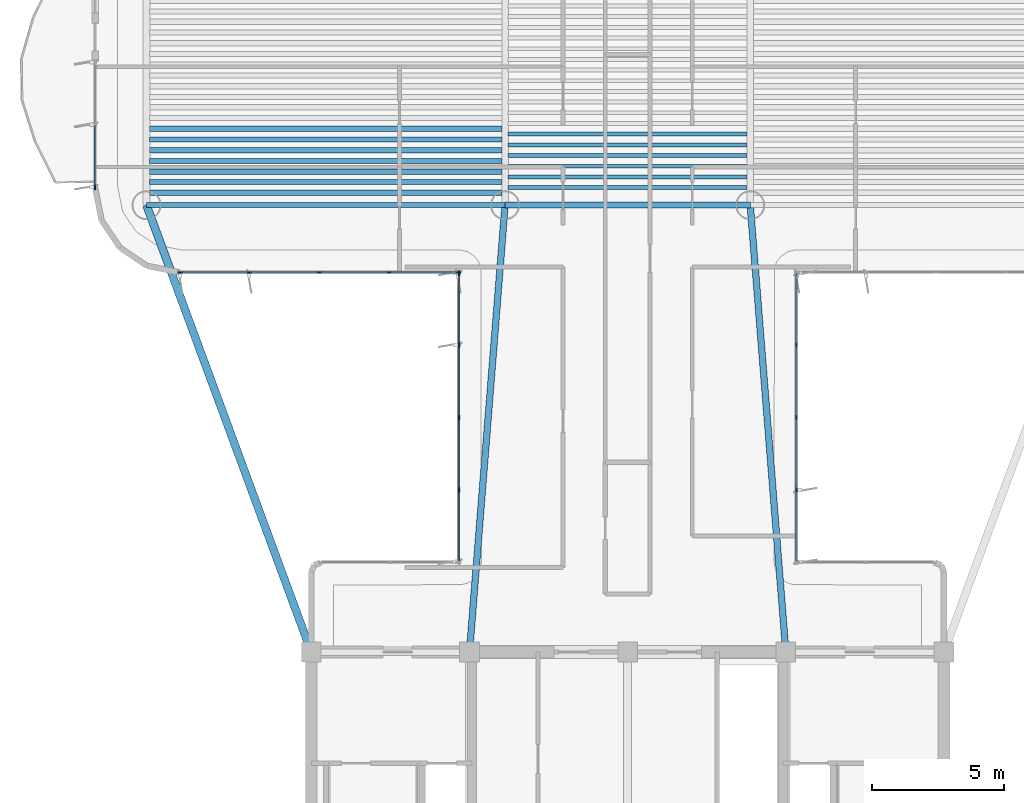
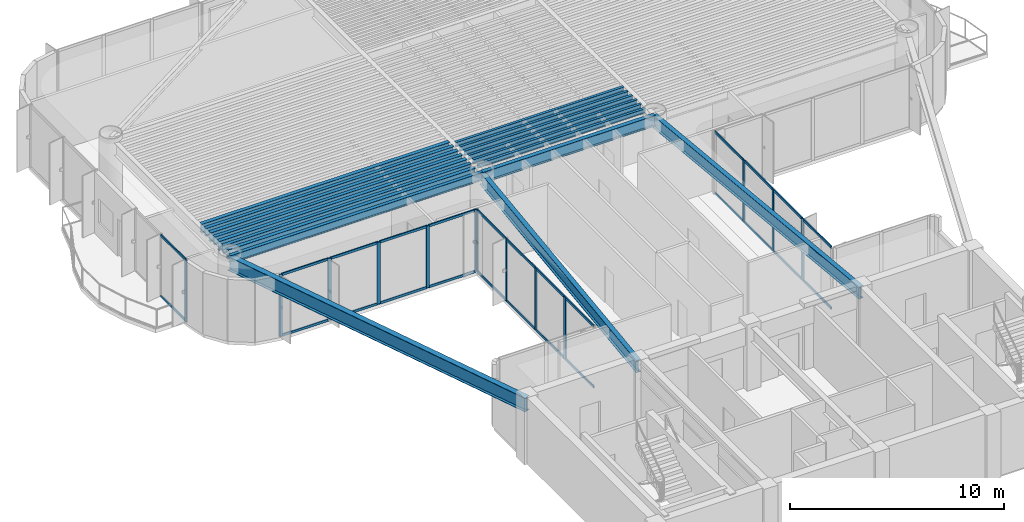
# One storey, part 3 of 14: 39 members, 18 beams, 4 elements without a shape of their own.
"""IFC4 building model written with IfcOpenShell, lengths in metres."""

from ifc_helpers import new_model, si_unit, direction, frame, origin, origin_2d, place, context, subcontext, project, spatial, rectangle, i_section, extrude, source, transform, mapped, material, layer, layer_set, material_profile, profile_set, type_object, element, aggregate, save


model = new_model("IFC4")

# Units and contexts
model_context = context("Model", 3, precision=1e-05, world=origin(), true_north=direction((0.0, 1.0)))
body_context = subcontext(model_context, "Body", "Model", "MODEL_VIEW")
ifc_project = project(units=[si_unit("LENGTHUNIT", "METRE"), si_unit("AREAUNIT", "SQUARE_METRE"), si_unit("VOLUMEUNIT", "CUBIC_METRE"), si_unit("PLANEANGLEUNIT", "RADIAN"), si_unit("MASSUNIT", "GRAM", prefix="KILO")], contexts=[model_context])

# Site, building, storey
site_placement = place(None, origin())
site = spatial("IfcSite", under=ifc_project, at=site_placement, CompositionType="ELEMENT")
building_placement = place(site_placement, origin())
building = spatial("IfcBuilding", under=site, at=building_placement, Name="Brelvock Crest Care Tower", CompositionType="ELEMENT")
storey_placement = place(building_placement, frame((0.0, 0.0, 175.320068359375)))
storey = spatial("IfcBuildingStorey", under=building, at=storey_placement, Name="L44", CompositionType="ELEMENT", Elevation=175.320068359375)

# Beams
ifc_material_1 = material(Name="Steel Grade 350", Category="steel")
ifc_material_profile_1 = material_profile(ifc_material_1, i_section(OverallWidth=0.22900390625, OverallDepth=0.612060546875, WebThickness=0.011962890625, FlangeThickness=0.01953125, FilletRadius=0.013916015625, at=origin_2d()), Name="610UB125")
ifc_profile_set_1 = profile_set([ifc_material_profile_1], Name="Steel Grade 350")
beam_type_1 = type_object("IfcBeamType", Name="BM-G1", PredefinedType="BEAM", material=ifc_profile_set_1)
shared_shape_1 = source(origin(), body_context, "Body", "SweptSolid", [
    extrude(i_section(OverallWidth=0.22900390625, OverallDepth=0.612060546875, WebThickness=0.011962890625, FlangeThickness=0.01953125, FilletRadius=0.013916015625, at=origin_2d()), origin(), (0.0, 0.0, 1.0), 9.2998046875),
])
beam_1_placement = place(storey_placement, frame((31.35009765625, 34.949951171875, 3.223876953125), z_axis=(1.0, 0.0, 0.0), x_axis=(0.0, 1.0, 0.0)))
element("IfcBeam", 1, at=beam_1_placement, inside=storey, type_object=beam_type_1, Name="BM-TWR-L44-05", PredefinedType="BEAM", context=body_context, shape_type="MappedRepresentation", body=[
    mapped(shared_shape_1, transform((0.0, 0.0, 0.0), x_axis=(1.0, 0.0, 0.0), y_axis=(0.0, 1.0, 0.0), z_axis=(0.0, 0.0, 1.0), scale=1.0)),
])
ifc_material_profile_2 = material_profile(ifc_material_1, i_section(OverallWidth=0.14599609375, OverallDepth=0.256103515625, WebThickness=0.00634765625, FlangeThickness=0.010986328125, FilletRadius=0.0087890625, at=origin_2d()), Name="250UB37.3")
ifc_profile_set_2 = profile_set([ifc_material_profile_2], Name="Steel Grade 350")
beam_type_2 = type_object("IfcBeamType", Name="BM-J3", PredefinedType="JOIST", material=ifc_profile_set_2)
shared_shape_2 = source(origin(), body_context, "Body", "SweptSolid", [
    extrude(i_section(OverallWidth=0.14599609375, OverallDepth=0.256103515625, WebThickness=0.00634765625, FlangeThickness=0.010986328125, FilletRadius=0.0087890625, at=origin_2d()), origin(), (0.0, 0.0, 1.0), 9.06982421875),
])
for number, where, z_axis, x_axis, name in (
    (2, (31.465087890625, 35.618896484375, 3.40185546875), (1.0, 0.0, 0.0), (0.0, 1.0, 0.0), "BM-JH-L44-1"),
    (3, (31.465087890625, 36.02392578125, 3.40185546875), (1.0, 0.0, 0.0), (0.0, 1.0, 0.0), "BM-JH-L44-2"),
    (4, (31.465087890625, 36.42919921875, 3.40185546875), (1.0, 0.0, 0.0), (0.0, 1.0, 0.0), "BM-JH-L44-3"),
    (5, (31.465087890625, 36.834228515625, 3.40185546875), (1.0, 0.0, 0.0), (0.0, 1.0, 0.0), "BM-JH-L44-4"),
    (6, (31.465087890625, 37.239501953125, 3.40185546875), (1.0, 0.0, 0.0), (0.0, 1.0, 0.0), "BM-JH-L44-5"),
    (7, (31.465087890625, 37.64453125, 3.40185546875), (1.0, 0.0, 0.0), (0.0, 1.0, 0.0), "BM-JH-L44-6"),
):
    element("IfcBeam", number, at=place(storey_placement, frame(where, z_axis=z_axis, x_axis=x_axis)), inside=storey, type_object=beam_type_2, Name=name, PredefinedType="JOIST", context=body_context, shape_type="MappedRepresentation", body=[
        mapped(shared_shape_2, transform((0.0, 0.0, 0.0), x_axis=(1.0, 0.0, 0.0), y_axis=(0.0, 1.0, 0.0), z_axis=(0.0, 0.0, 1.0), scale=1.0)),
    ])
ifc_material_profile_3 = material_profile(ifc_material_1, i_section(OverallWidth=0.208984375, OverallDepth=0.532958984375, WebThickness=0.01025390625, FlangeThickness=0.015625, FilletRadius=0.013916015625, at=origin_2d()), Name="530UB92.4")
ifc_profile_set_3 = profile_set([ifc_material_profile_3], Name="Steel Grade 350")
beam_type_3 = type_object("IfcBeamType", Name="BM-G2", PredefinedType="BEAM", material=ifc_profile_set_3)
shared_shape_3 = source(origin(), body_context, "Body", "SweptSolid", [
    extrude(i_section(OverallWidth=0.208984375, OverallDepth=0.532958984375, WebThickness=0.01025390625, FlangeThickness=0.015625, FilletRadius=0.013916015625, at=origin_2d()), origin(), (0.0, 0.0, 1.0), 13.3701171875),
])
for number, where, z_axis, x_axis, name in (
    (8, (17.864990234375, 35.416259765625, 3.263427734375), (1.0, 0.0, 0.0), (0.0, 1.0, 0.0), "BM-JW-L44-1"),
    (9, (17.864990234375, 36.2265625, 3.263427734375), (1.0, 0.0, 0.0), (0.0, 1.0, 0.0), "BM-JW-L44-3"),
    (10, (17.864990234375, 37.036865234375, 3.263427734375), (1.0, 0.0, 0.0), (0.0, 1.0, 0.0), "BM-JW-L44-5"),
    (11, (17.864990234375, 37.84716796875, 3.263427734375), (1.0, 0.0, 0.0), (0.0, 1.0, 0.0), "BM-JW-L44-7"),
):
    element("IfcBeam", number, at=place(storey_placement, frame(where, z_axis=z_axis, x_axis=x_axis)), inside=storey, type_object=beam_type_3, Name=name, PredefinedType="BEAM", context=body_context, shape_type="MappedRepresentation", body=[
        mapped(shared_shape_3, transform((0.0, 0.0, 0.0), x_axis=(1.0, 0.0, 0.0), y_axis=(0.0, 1.0, 0.0), z_axis=(0.0, 0.0, 1.0), scale=1.0)),
    ])
ifc_material_profile_4 = material_profile(ifc_material_1, i_section(OverallWidth=0.19091796875, OverallDepth=0.4599609375, WebThickness=0.010009765625, FlangeThickness=0.01611328125, FilletRadius=0.011474609375, at=origin_2d()), Name="460UB82.1")
ifc_profile_set_4 = profile_set([ifc_material_profile_4], Name="Steel Grade 350")
beam_type_4 = type_object("IfcBeamType", Name="BM-G3", PredefinedType="BEAM", material=ifc_profile_set_4)
shared_shape_4 = source(origin(), body_context, "Body", "SweptSolid", [
    extrude(i_section(OverallWidth=0.19091796875, OverallDepth=0.4599609375, WebThickness=0.010009765625, FlangeThickness=0.01611328125, FilletRadius=0.011474609375, at=origin_2d()), origin(), (0.0, 0.0, 1.0), 13.3701171875),
])
for number, where, z_axis, x_axis, name in (
    (12, (17.864990234375, 35.8212890625, 3.300048828125), (1.0, 0.0, 0.0), (0.0, 1.0, 0.0), "BM-JW-L44-2"),
    (13, (17.864990234375, 36.631591796875, 3.300048828125), (1.0, 0.0, 0.0), (0.0, 1.0, 0.0), "BM-JW-L44-4"),
    (14, (17.864990234375, 37.44189453125, 3.300048828125), (1.0, 0.0, 0.0), (0.0, 1.0, 0.0), "BM-JW-L44-6"),
):
    element("IfcBeam", number, at=place(storey_placement, frame(where, z_axis=z_axis, x_axis=x_axis)), inside=storey, type_object=beam_type_4, Name=name, PredefinedType="BEAM", context=body_context, shape_type="MappedRepresentation", body=[
        mapped(shared_shape_4, transform((0.0, 0.0, 0.0), x_axis=(1.0, 0.0, 0.0), y_axis=(0.0, 1.0, 0.0), z_axis=(0.0, 0.0, 1.0), scale=1.0)),
    ])
ifc_material_profile_5 = material_profile(ifc_material_1, i_section(OverallWidth=0.19091796875, OverallDepth=0.4599609375, WebThickness=0.010009765625, FlangeThickness=0.01611328125, FilletRadius=0.011474609375, at=origin_2d()), Name="460UB82.1")
ifc_profile_set_5 = profile_set([ifc_material_profile_5], Name="Steel Grade 350")
beam_type_5 = type_object("IfcBeamType", Name="BM-SP2", PredefinedType="SPANDREL", material=ifc_profile_set_5)
shared_shape_5 = source(origin(), body_context, "Body", "SweptSolid", [
    extrude(i_section(OverallWidth=0.19091796875, OverallDepth=0.4599609375, WebThickness=0.010009765625, FlangeThickness=0.01611328125, FilletRadius=0.011474609375, at=origin_2d()), origin(), (0.0, 0.0, 1.0), 13.60009765625),
])
beam_2_placement = place(storey_placement, frame((17.75, 34.949951171875, 3.300048828125), z_axis=(1.0, 0.0, 0.0), x_axis=(0.0, 1.0, 0.0)))
element("IfcBeam", 15, at=beam_2_placement, inside=storey, type_object=beam_type_5, Name="BM-TWR-L44-03", PredefinedType="SPANDREL", context=body_context, shape_type="MappedRepresentation", body=[
    mapped(shared_shape_5, transform((0.0, 0.0, 0.0), x_axis=(1.0, 0.0, 0.0), y_axis=(0.0, 1.0, 0.0), z_axis=(0.0, 0.0, 1.0), scale=1.0)),
])
ifc_material_profile_6 = material_profile(ifc_material_1, i_section(OverallWidth=0.25, OverallDepth=0.699951171875, WebThickness=0.011962890625, FlangeThickness=0.02001953125, at=origin_2d()), Name="700WB150")
ifc_profile_set_6 = profile_set([ifc_material_profile_6], Name="Steel Grade 350")
beam_type_6 = type_object("IfcBeamType", Name="BM-G4", PredefinedType="BEAM", material=ifc_profile_set_6)
shared_shape_6 = source(origin(), body_context, "Body", "SweptSolid", [
    extrude(i_section(OverallWidth=0.25, OverallDepth=0.699951171875, WebThickness=0.011962890625, FlangeThickness=0.02001953125, at=origin_2d()), origin(), (0.0, 0.0, 1.0), 17.003662109375),
])
for number, where, z_axis, x_axis, name in (
    (16, (30.0, 18.0, 3.179931640625), (0.079400530776, 0.996842793881, 0.0), (-0.996842793881, 0.079400530776, 0.0), "BM-THRW-L44"),
    (17, (42.0, 18.0, 3.179931640625), (-0.079400530776, 0.996842793881, 0.0), (-0.996842793881, -0.079400530776, 0.0), "BM-THRE-L44"),
):
    element("IfcBeam", number, at=place(storey_placement, frame(where, z_axis=z_axis, x_axis=x_axis)), inside=storey, type_object=beam_type_6, Name=name, PredefinedType="BEAM", context=body_context, shape_type="MappedRepresentation", body=[
        mapped(shared_shape_6, transform((0.0, 0.0, 0.0), x_axis=(1.0, 0.0, 0.0), y_axis=(0.0, 1.0, 0.0), z_axis=(0.0, 0.0, 1.0), scale=1.0)),
    ])
ifc_material_profile_7 = material_profile(ifc_material_1, i_section(OverallWidth=0.300048828125, OverallDepth=0.800048828125, WebThickness=0.013916015625, FlangeThickness=0.02197265625, at=origin_2d()), Name="800WB192")
ifc_profile_set_7 = profile_set([ifc_material_profile_7], Name="Steel Grade 350")
beam_type_7 = type_object("IfcBeamType", Name="BM-G5", PredefinedType="BEAM", material=ifc_profile_set_7)
shared_shape_7 = source(origin(), body_context, "Body", "SweptSolid", [
    extrude(i_section(OverallWidth=0.300048828125, OverallDepth=0.800048828125, WebThickness=0.013916015625, FlangeThickness=0.02197265625, at=origin_2d()), origin(), (0.0, 0.0, 1.0), 18.0654296875),
])
beam_3_placement = place(storey_placement, frame((24.0, 18.0, 3.1298828125), z_axis=(-0.345962741309, 0.938248251597, 0.0), x_axis=(-0.938248251597, -0.345962741309, 0.0)))
element("IfcBeam", 18, at=beam_3_placement, inside=storey, type_object=beam_type_7, Name="BM-THRO-W-L44", PredefinedType="BEAM", context=body_context, shape_type="MappedRepresentation", body=[
    mapped(shared_shape_7, transform((0.0, 0.0, 0.0), x_axis=(1.0, 0.0, 0.0), y_axis=(0.0, 1.0, 0.0), z_axis=(0.0, 0.0, 1.0), scale=1.0)),
])

# Curtain wall, members
ifc_material_2 = material(Name="Dark Glass Double Glazed Low-E", Category="glass")
ifc_layer = layer(ifc_material_2, 0.22509765625, Name="CWS-4")
ifc_layer_set = layer_set([ifc_layer], Name="Dark Glass Double Glazed Low-E")
curtain_wall_type = type_object("IfcCurtainWallType", Name="CWS-4", PredefinedType="NOTDEFINED", material=ifc_layer_set)
curtain_wall_1_placement = place(storey_placement, origin())
curtain_wall_1 = element("IfcCurtainWall", 19, at=curtain_wall_1_placement, inside=storey, type_object=curtain_wall_type, Name="L44 Curtain Wall E11", PredefinedType="NOTDEFINED")
ifc_material_3 = material(Name="Aluminium 6063-T6", Category="aluminium")
ifc_material_profile_8 = material_profile(ifc_material_3, rectangle(XDim=0.06005859375, YDim=0.179931640625, at=origin_2d()), Name="ALU60x180")
ifc_profile_set_8 = profile_set([ifc_material_profile_8], Name="Aluminium 6063-T6")
member_type_1 = type_object("IfcMemberType", Name="CWM-2", PredefinedType="MULLION", material=ifc_profile_set_8)
shared_shape_8 = source(origin(), body_context, "Body", "SweptSolid", [
    extrude(rectangle(XDim=0.06005859375, YDim=0.179931640625, at=origin_2d()), origin(), (0.0, 0.0, 1.0), 3.530029296875),
])
member_1_placement = place(storey_placement, frame((29.60009765625, 24.14990234375, 0.0), z_axis=(0.0, 0.0, 1.0), x_axis=(-1.0, 0.0, 0.0)))
member_1 = element("IfcMember", 20, at=member_1_placement, type_object=member_type_1, Name="CW-4 mullion 2", PredefinedType="MULLION", context=body_context, shape_type="MappedRepresentation", body=[
    mapped(shared_shape_8, transform((0.0, 0.0, 0.0), x_axis=(1.0, 0.0, 0.0), y_axis=(0.0, 1.0, 0.0), z_axis=(0.0, 0.0, 1.0), scale=1.0)),
])
member_2_placement = place(storey_placement, frame((29.60009765625, 26.89990234375, 0.0), z_axis=(0.0, 0.0, 1.0), x_axis=(-1.0, 0.0, 0.0)))
member_2 = element("IfcMember", 21, at=member_2_placement, type_object=member_type_1, Name="CW-4 mullion 3", PredefinedType="MULLION", context=body_context, shape_type="MappedRepresentation", body=[
    mapped(shared_shape_8, transform((0.0, 0.0, 0.0), x_axis=(1.0, 0.0, 0.0), y_axis=(0.0, 1.0, 0.0), z_axis=(0.0, 0.0, 1.0), scale=1.0)),
])
member_3_placement = place(storey_placement, frame((29.60009765625, 29.64990234375, 0.0), z_axis=(0.0, 0.0, 1.0), x_axis=(-1.0, 0.0, 0.0)))
member_3 = element("IfcMember", 22, at=member_3_placement, type_object=member_type_1, Name="CW-4 mullion 4", PredefinedType="MULLION", context=body_context, shape_type="MappedRepresentation", body=[
    mapped(shared_shape_8, transform((0.0, 0.0, 0.0), x_axis=(1.0, 0.0, 0.0), y_axis=(0.0, 1.0, 0.0), z_axis=(0.0, 0.0, 1.0), scale=1.0)),
])
member_4_placement = place(storey_placement, frame((29.60009765625, 32.3701171875, 0.0), z_axis=(0.0, 0.0, 1.0), x_axis=(-1.0, 0.0, 0.0)))
member_4 = element("IfcMember", 23, at=member_4_placement, type_object=member_type_1, Name="CW-4 mullion 5", PredefinedType="MULLION", context=body_context, shape_type="MappedRepresentation", body=[
    mapped(shared_shape_8, transform((0.0, 0.0, 0.0), x_axis=(1.0, 0.0, 0.0), y_axis=(0.0, 1.0, 0.0), z_axis=(0.0, 0.0, 1.0), scale=1.0)),
])

curtain_wall_2_placement = place(storey_placement, origin())
curtain_wall_2 = element("IfcCurtainWall", 24, at=curtain_wall_2_placement, inside=storey, type_object=curtain_wall_type, Name="L44 Curtain Wall E12", PredefinedType="NOTDEFINED")
member_5_placement = place(storey_placement, frame((29.570068359375, 32.39990234375, 0.0), z_axis=(0.0, 0.0, 1.0), x_axis=(0.0, -1.0, 0.0)))
member_5 = element("IfcMember", 25, at=member_5_placement, type_object=member_type_1, Name="CW-4 mullion 1", PredefinedType="MULLION", context=body_context, shape_type="MappedRepresentation", body=[
    mapped(shared_shape_8, transform((0.0, 0.0, 0.0), x_axis=(1.0, 0.0, 0.0), y_axis=(0.0, 1.0, 0.0), z_axis=(0.0, 0.0, 1.0), scale=1.0)),
])
member_6_placement = place(storey_placement, frame((26.949951171875, 32.39990234375, 0.0), z_axis=(0.0, 0.0, 1.0), x_axis=(0.0, -1.0, 0.0)))
member_6 = element("IfcMember", 26, at=member_6_placement, type_object=member_type_1, Name="CW-4 mullion 2", PredefinedType="MULLION", context=body_context, shape_type="MappedRepresentation", body=[
    mapped(shared_shape_8, transform((0.0, 0.0, 0.0), x_axis=(1.0, 0.0, 0.0), y_axis=(0.0, 1.0, 0.0), z_axis=(0.0, 0.0, 1.0), scale=1.0)),
])
member_7_placement = place(storey_placement, frame((24.300048828125, 32.39990234375, 0.0), z_axis=(0.0, 0.0, 1.0), x_axis=(0.0, -1.0, 0.0)))
member_7 = element("IfcMember", 27, at=member_7_placement, type_object=member_type_1, Name="CW-4 mullion 3", PredefinedType="MULLION", context=body_context, shape_type="MappedRepresentation", body=[
    mapped(shared_shape_8, transform((0.0, 0.0, 0.0), x_axis=(1.0, 0.0, 0.0), y_axis=(0.0, 1.0, 0.0), z_axis=(0.0, 0.0, 1.0), scale=1.0)),
])
member_8_placement = place(storey_placement, frame((21.64990234375, 32.39990234375, 0.0), z_axis=(0.0, 0.0, 1.0), x_axis=(0.0, -1.0, 0.0)))
member_8 = element("IfcMember", 28, at=member_8_placement, type_object=member_type_1, Name="CW-4 mullion 4", PredefinedType="MULLION", context=body_context, shape_type="MappedRepresentation", body=[
    mapped(shared_shape_8, transform((0.0, 0.0, 0.0), x_axis=(1.0, 0.0, 0.0), y_axis=(0.0, 1.0, 0.0), z_axis=(0.0, 0.0, 1.0), scale=1.0)),
])
member_9_placement = place(storey_placement, frame((19.030029296875, 32.39990234375, 0.0), z_axis=(0.0, 0.0, 1.0), x_axis=(0.0, -1.0, 0.0)))
member_9 = element("IfcMember", 29, at=member_9_placement, type_object=member_type_1, Name="CW-4 mullion 5", PredefinedType="MULLION", context=body_context, shape_type="MappedRepresentation", body=[
    mapped(shared_shape_8, transform((0.0, 0.0, 0.0), x_axis=(1.0, 0.0, 0.0), y_axis=(0.0, 1.0, 0.0), z_axis=(0.0, 0.0, 1.0), scale=1.0)),
])

# Curtain wall, member
curtain_wall_3_placement = place(storey_placement, origin())
curtain_wall_3 = element("IfcCurtainWall", 30, at=curtain_wall_3_placement, inside=storey, type_object=curtain_wall_type, Name="L44 Curtain Wall E17A", PredefinedType="NOTDEFINED")
member_10_placement = place(storey_placement, frame((15.800048828125, 35.6298828125, 0.0), z_axis=(0.0, 0.0, 1.0), x_axis=(-1.0, 0.0, 0.0)))
member_10 = element("IfcMember", 31, at=member_10_placement, type_object=member_type_1, Name="CW-4 mullion 1", PredefinedType="MULLION", context=body_context, shape_type="MappedRepresentation", body=[
    mapped(shared_shape_8, transform((0.0, 0.0, 0.0), x_axis=(1.0, 0.0, 0.0), y_axis=(0.0, 1.0, 0.0), z_axis=(0.0, 0.0, 1.0), scale=1.0)),
])

# Curtain wall, members
curtain_wall_4_placement = place(storey_placement, origin())
curtain_wall_4 = element("IfcCurtainWall", 32, at=curtain_wall_4_placement, inside=storey, type_object=curtain_wall_type, Name="L44 Curtain Wall E45", PredefinedType="NOTDEFINED")
member_11_placement = place(storey_placement, frame((42.39990234375, 29.64990234375, 0.0), z_axis=(0.0, 0.0, 1.0), x_axis=(1.0, 0.0, 0.0)))
member_11 = element("IfcMember", 33, at=member_11_placement, type_object=member_type_1, Name="CW-4 mullion 2", PredefinedType="MULLION", context=body_context, shape_type="MappedRepresentation", body=[
    mapped(shared_shape_8, transform((0.0, 0.0, 0.0), x_axis=(1.0, 0.0, 0.0), y_axis=(0.0, 1.0, 0.0), z_axis=(0.0, 0.0, 1.0), scale=1.0)),
])
member_12_placement = place(storey_placement, frame((42.39990234375, 26.89990234375, 0.0), z_axis=(0.0, 0.0, 1.0), x_axis=(1.0, 0.0, 0.0)))
member_12 = element("IfcMember", 34, at=member_12_placement, type_object=member_type_1, Name="CW-4 mullion 3", PredefinedType="MULLION", context=body_context, shape_type="MappedRepresentation", body=[
    mapped(shared_shape_8, transform((0.0, 0.0, 0.0), x_axis=(1.0, 0.0, 0.0), y_axis=(0.0, 1.0, 0.0), z_axis=(0.0, 0.0, 1.0), scale=1.0)),
])
member_13_placement = place(storey_placement, frame((42.39990234375, 24.14990234375, 0.0), z_axis=(0.0, 0.0, 1.0), x_axis=(1.0, 0.0, 0.0)))
member_13 = element("IfcMember", 35, at=member_13_placement, type_object=member_type_1, Name="CW-4 mullion 4", PredefinedType="MULLION", context=body_context, shape_type="MappedRepresentation", body=[
    mapped(shared_shape_8, transform((0.0, 0.0, 0.0), x_axis=(1.0, 0.0, 0.0), y_axis=(0.0, 1.0, 0.0), z_axis=(0.0, 0.0, 1.0), scale=1.0)),
])

# Member
ifc_material_profile_9 = material_profile(ifc_material_3, rectangle(XDim=0.06005859375, YDim=0.139892578125, at=origin_2d()), Name="ALU60x140")
ifc_profile_set_9 = profile_set([ifc_material_profile_9], Name="Aluminium 6063-T6")
member_type_2 = type_object("IfcMemberType", Name="CWT-2", PredefinedType="USERDEFINED", material=ifc_profile_set_9)
shared_shape_9 = source(origin(), body_context, "Body", "SweptSolid", [
    extrude(rectangle(XDim=0.06005859375, YDim=0.139892578125, at=origin_2d()), origin(), (0.0, 0.0, 1.0), 2.66015625),
])
member_14_placement = place(storey_placement, frame((29.60009765625, 21.4599609375, 0.030029296875), z_axis=(0.0, 1.0, 0.0), x_axis=(-1.0, 0.0, 0.0)))
member_14 = element("IfcMember", 36, at=member_14_placement, type_object=member_type_2, Name="CW-4 transom 1.1", ObjectType="TRANSOM", PredefinedType="USERDEFINED", context=body_context, shape_type="MappedRepresentation", body=[
    mapped(shared_shape_9, transform((0.0, 0.0, 0.0), x_axis=(1.0, 0.0, 0.0), y_axis=(0.0, 1.0, 0.0), z_axis=(0.0, 0.0, 1.0), scale=1.0)),
])

member_15_placement = place(storey_placement, frame((29.60009765625, 21.4599609375, 3.5), z_axis=(0.0, 1.0, 0.0), x_axis=(-1.0, 0.0, 0.0)))
member_15 = element("IfcMember", 37, at=member_15_placement, type_object=member_type_2, Name="CW-4 transom 1.2", ObjectType="TRANSOM", PredefinedType="USERDEFINED", context=body_context, shape_type="MappedRepresentation", body=[
    mapped(shared_shape_9, transform((0.0, 0.0, 0.0), x_axis=(1.0, 0.0, 0.0), y_axis=(0.0, 1.0, 0.0), z_axis=(0.0, 0.0, 1.0), scale=1.0)),
])

member_16_placement = place(storey_placement, frame((29.60009765625, 29.679931640625, 0.030029296875), z_axis=(0.0, 1.0, 0.0), x_axis=(-1.0, 0.0, 0.0)))
member_16 = element("IfcMember", 38, at=member_16_placement, type_object=member_type_2, Name="CW-4 transom 4.1", ObjectType="TRANSOM", PredefinedType="USERDEFINED", context=body_context, shape_type="MappedRepresentation", body=[
    mapped(shared_shape_9, transform((0.0, 0.0, 0.0), x_axis=(1.0, 0.0, 0.0), y_axis=(0.0, 1.0, 0.0), z_axis=(0.0, 0.0, 1.0), scale=1.0)),
])

member_17_placement = place(storey_placement, frame((29.60009765625, 29.679931640625, 3.5), z_axis=(0.0, 1.0, 0.0), x_axis=(-1.0, 0.0, 0.0)))
member_17 = element("IfcMember", 39, at=member_17_placement, type_object=member_type_2, Name="CW-4 transom 4.2", ObjectType="TRANSOM", PredefinedType="USERDEFINED", context=body_context, shape_type="MappedRepresentation", body=[
    mapped(shared_shape_9, transform((0.0, 0.0, 0.0), x_axis=(1.0, 0.0, 0.0), y_axis=(0.0, 1.0, 0.0), z_axis=(0.0, 0.0, 1.0), scale=1.0)),
])

member_18_placement = place(storey_placement, frame((42.39990234375, 32.340087890625, 0.030029296875), z_axis=(0.0, -1.0, 0.0), x_axis=(1.0, 0.0, 0.0)))
member_18 = element("IfcMember", 40, at=member_18_placement, type_object=member_type_2, Name="CW-4 transom 1.1", ObjectType="TRANSOM", PredefinedType="USERDEFINED", context=body_context, shape_type="MappedRepresentation", body=[
    mapped(shared_shape_9, transform((0.0, 0.0, 0.0), x_axis=(1.0, 0.0, 0.0), y_axis=(0.0, 1.0, 0.0), z_axis=(0.0, 0.0, 1.0), scale=1.0)),
])

member_19_placement = place(storey_placement, frame((42.39990234375, 32.340087890625, 3.5), z_axis=(0.0, -1.0, 0.0), x_axis=(1.0, 0.0, 0.0)))
member_19 = element("IfcMember", 41, at=member_19_placement, type_object=member_type_2, Name="CW-4 transom 1.2", ObjectType="TRANSOM", PredefinedType="USERDEFINED", context=body_context, shape_type="MappedRepresentation", body=[
    mapped(shared_shape_9, transform((0.0, 0.0, 0.0), x_axis=(1.0, 0.0, 0.0), y_axis=(0.0, 1.0, 0.0), z_axis=(0.0, 0.0, 1.0), scale=1.0)),
])

member_20_placement = place(storey_placement, frame((42.39990234375, 24.1201171875, 0.030029296875), z_axis=(0.0, -1.0, 0.0), x_axis=(1.0, 0.0, 0.0)))
member_20 = element("IfcMember", 42, at=member_20_placement, type_object=member_type_2, Name="CW-4 transom 4.1", ObjectType="TRANSOM", PredefinedType="USERDEFINED", context=body_context, shape_type="MappedRepresentation", body=[
    mapped(shared_shape_9, transform((0.0, 0.0, 0.0), x_axis=(1.0, 0.0, 0.0), y_axis=(0.0, 1.0, 0.0), z_axis=(0.0, 0.0, 1.0), scale=1.0)),
])

member_21_placement = place(storey_placement, frame((42.39990234375, 24.1201171875, 3.5), z_axis=(0.0, -1.0, 0.0), x_axis=(1.0, 0.0, 0.0)))
member_21 = element("IfcMember", 43, at=member_21_placement, type_object=member_type_2, Name="CW-4 transom 4.2", ObjectType="TRANSOM", PredefinedType="USERDEFINED", context=body_context, shape_type="MappedRepresentation", body=[
    mapped(shared_shape_9, transform((0.0, 0.0, 0.0), x_axis=(1.0, 0.0, 0.0), y_axis=(0.0, 1.0, 0.0), z_axis=(0.0, 0.0, 1.0), scale=1.0)),
])

shared_shape_10 = source(origin(), body_context, "Body", "SweptSolid", [
    extrude(rectangle(XDim=0.06005859375, YDim=0.139892578125, at=origin_2d()), origin(), (0.0, 0.0, 1.0), 2.690185546875),
])
member_22_placement = place(storey_placement, frame((29.60009765625, 24.179931640625, 0.030029296875), z_axis=(0.0, 1.0, 0.0), x_axis=(-1.0, 0.0, 0.0)))
member_22 = element("IfcMember", 44, at=member_22_placement, type_object=member_type_2, Name="CW-4 transom 2.1", ObjectType="TRANSOM", PredefinedType="USERDEFINED", context=body_context, shape_type="MappedRepresentation", body=[
    mapped(shared_shape_10, transform((0.0, 0.0, 0.0), x_axis=(1.0, 0.0, 0.0), y_axis=(0.0, 1.0, 0.0), z_axis=(0.0, 0.0, 1.0), scale=1.0)),
])

member_23_placement = place(storey_placement, frame((29.60009765625, 24.179931640625, 3.5), z_axis=(0.0, 1.0, 0.0), x_axis=(-1.0, 0.0, 0.0)))
member_23 = element("IfcMember", 45, at=member_23_placement, type_object=member_type_2, Name="CW-4 transom 2.2", ObjectType="TRANSOM", PredefinedType="USERDEFINED", context=body_context, shape_type="MappedRepresentation", body=[
    mapped(shared_shape_10, transform((0.0, 0.0, 0.0), x_axis=(1.0, 0.0, 0.0), y_axis=(0.0, 1.0, 0.0), z_axis=(0.0, 0.0, 1.0), scale=1.0)),
])

member_24_placement = place(storey_placement, frame((29.60009765625, 26.929931640625, 0.030029296875), z_axis=(0.0, 1.0, 0.0), x_axis=(-1.0, 0.0, 0.0)))
member_24 = element("IfcMember", 46, at=member_24_placement, type_object=member_type_2, Name="CW-4 transom 3.1", ObjectType="TRANSOM", PredefinedType="USERDEFINED", context=body_context, shape_type="MappedRepresentation", body=[
    mapped(shared_shape_10, transform((0.0, 0.0, 0.0), x_axis=(1.0, 0.0, 0.0), y_axis=(0.0, 1.0, 0.0), z_axis=(0.0, 0.0, 1.0), scale=1.0)),
])

member_25_placement = place(storey_placement, frame((29.60009765625, 26.929931640625, 3.5), z_axis=(0.0, 1.0, 0.0), x_axis=(-1.0, 0.0, 0.0)))
member_25 = element("IfcMember", 47, at=member_25_placement, type_object=member_type_2, Name="CW-4 transom 3.2", ObjectType="TRANSOM", PredefinedType="USERDEFINED", context=body_context, shape_type="MappedRepresentation", body=[
    mapped(shared_shape_10, transform((0.0, 0.0, 0.0), x_axis=(1.0, 0.0, 0.0), y_axis=(0.0, 1.0, 0.0), z_axis=(0.0, 0.0, 1.0), scale=1.0)),
])

aggregate(curtain_wall_1, [member_1, member_2, member_3, member_4, member_14, member_15, member_22, member_23, member_24, member_25, member_16, member_17])

member_26_placement = place(storey_placement, frame((42.39990234375, 29.6201171875, 0.030029296875), z_axis=(0.0, -1.0, 0.0), x_axis=(1.0, 0.0, 0.0)))
member_26 = element("IfcMember", 48, at=member_26_placement, type_object=member_type_2, Name="CW-4 transom 2.1", ObjectType="TRANSOM", PredefinedType="USERDEFINED", context=body_context, shape_type="MappedRepresentation", body=[
    mapped(shared_shape_10, transform((0.0, 0.0, 0.0), x_axis=(1.0, 0.0, 0.0), y_axis=(0.0, 1.0, 0.0), z_axis=(0.0, 0.0, 1.0), scale=1.0)),
])

member_27_placement = place(storey_placement, frame((42.39990234375, 29.6201171875, 3.5), z_axis=(0.0, -1.0, 0.0), x_axis=(1.0, 0.0, 0.0)))
member_27 = element("IfcMember", 49, at=member_27_placement, type_object=member_type_2, Name="CW-4 transom 2.2", ObjectType="TRANSOM", PredefinedType="USERDEFINED", context=body_context, shape_type="MappedRepresentation", body=[
    mapped(shared_shape_10, transform((0.0, 0.0, 0.0), x_axis=(1.0, 0.0, 0.0), y_axis=(0.0, 1.0, 0.0), z_axis=(0.0, 0.0, 1.0), scale=1.0)),
])

member_28_placement = place(storey_placement, frame((42.39990234375, 26.8701171875, 0.030029296875), z_axis=(0.0, -1.0, 0.0), x_axis=(1.0, 0.0, 0.0)))
member_28 = element("IfcMember", 50, at=member_28_placement, type_object=member_type_2, Name="CW-4 transom 3.1", ObjectType="TRANSOM", PredefinedType="USERDEFINED", context=body_context, shape_type="MappedRepresentation", body=[
    mapped(shared_shape_10, transform((0.0, 0.0, 0.0), x_axis=(1.0, 0.0, 0.0), y_axis=(0.0, 1.0, 0.0), z_axis=(0.0, 0.0, 1.0), scale=1.0)),
])

member_29_placement = place(storey_placement, frame((42.39990234375, 26.8701171875, 3.5), z_axis=(0.0, -1.0, 0.0), x_axis=(1.0, 0.0, 0.0)))
member_29 = element("IfcMember", 51, at=member_29_placement, type_object=member_type_2, Name="CW-4 transom 3.2", ObjectType="TRANSOM", PredefinedType="USERDEFINED", context=body_context, shape_type="MappedRepresentation", body=[
    mapped(shared_shape_10, transform((0.0, 0.0, 0.0), x_axis=(1.0, 0.0, 0.0), y_axis=(0.0, 1.0, 0.0), z_axis=(0.0, 0.0, 1.0), scale=1.0)),
])

aggregate(curtain_wall_4, [member_11, member_12, member_13, member_18, member_19, member_26, member_27, member_28, member_29, member_20, member_21])

shared_shape_11 = source(origin(), body_context, "Body", "SweptSolid", [
    extrude(rectangle(XDim=0.06005859375, YDim=0.139892578125, at=origin_2d()), origin(), (0.0, 0.0, 1.0), 2.56005859375),
])
member_30_placement = place(storey_placement, frame((29.5400390625, 32.39990234375, 0.030029296875), z_axis=(-1.0, 0.0, 0.0), x_axis=(0.0, -1.0, 0.0)))
member_30 = element("IfcMember", 52, at=member_30_placement, type_object=member_type_2, Name="CW-4 transom 1.1", ObjectType="TRANSOM", PredefinedType="USERDEFINED", context=body_context, shape_type="MappedRepresentation", body=[
    mapped(shared_shape_11, transform((0.0, 0.0, 0.0), x_axis=(1.0, 0.0, 0.0), y_axis=(0.0, 1.0, 0.0), z_axis=(0.0, 0.0, 1.0), scale=1.0)),
])

member_31_placement = place(storey_placement, frame((29.5400390625, 32.39990234375, 3.5), z_axis=(-1.0, 0.0, 0.0), x_axis=(0.0, -1.0, 0.0)))
member_31 = element("IfcMember", 53, at=member_31_placement, type_object=member_type_2, Name="CW-4 transom 1.2", ObjectType="TRANSOM", PredefinedType="USERDEFINED", context=body_context, shape_type="MappedRepresentation", body=[
    mapped(shared_shape_11, transform((0.0, 0.0, 0.0), x_axis=(1.0, 0.0, 0.0), y_axis=(0.0, 1.0, 0.0), z_axis=(0.0, 0.0, 1.0), scale=1.0)),
])

member_32_placement = place(storey_placement, frame((21.6201171875, 32.39990234375, 0.030029296875), z_axis=(-1.0, 0.0, 0.0), x_axis=(0.0, -1.0, 0.0)))
member_32 = element("IfcMember", 54, at=member_32_placement, type_object=member_type_2, Name="CW-4 transom 4.1", ObjectType="TRANSOM", PredefinedType="USERDEFINED", context=body_context, shape_type="MappedRepresentation", body=[
    mapped(shared_shape_11, transform((0.0, 0.0, 0.0), x_axis=(1.0, 0.0, 0.0), y_axis=(0.0, 1.0, 0.0), z_axis=(0.0, 0.0, 1.0), scale=1.0)),
])

member_33_placement = place(storey_placement, frame((21.6201171875, 32.39990234375, 3.5), z_axis=(-1.0, 0.0, 0.0), x_axis=(0.0, -1.0, 0.0)))
member_33 = element("IfcMember", 55, at=member_33_placement, type_object=member_type_2, Name="CW-4 transom 4.2", ObjectType="TRANSOM", PredefinedType="USERDEFINED", context=body_context, shape_type="MappedRepresentation", body=[
    mapped(shared_shape_11, transform((0.0, 0.0, 0.0), x_axis=(1.0, 0.0, 0.0), y_axis=(0.0, 1.0, 0.0), z_axis=(0.0, 0.0, 1.0), scale=1.0)),
])

shared_shape_12 = source(origin(), body_context, "Body", "SweptSolid", [
    extrude(rectangle(XDim=0.06005859375, YDim=0.139892578125, at=origin_2d()), origin(), (0.0, 0.0, 1.0), 2.58984375),
])
member_34_placement = place(storey_placement, frame((26.919921875, 32.39990234375, 0.030029296875), z_axis=(-1.0, 0.0, 0.0), x_axis=(0.0, -1.0, 0.0)))
member_34 = element("IfcMember", 56, at=member_34_placement, type_object=member_type_2, Name="CW-4 transom 2.1", ObjectType="TRANSOM", PredefinedType="USERDEFINED", context=body_context, shape_type="MappedRepresentation", body=[
    mapped(shared_shape_12, transform((0.0, 0.0, 0.0), x_axis=(1.0, 0.0, 0.0), y_axis=(0.0, 1.0, 0.0), z_axis=(0.0, 0.0, 1.0), scale=1.0)),
])

member_35_placement = place(storey_placement, frame((26.919921875, 32.39990234375, 3.5), z_axis=(-1.0, 0.0, 0.0), x_axis=(0.0, -1.0, 0.0)))
member_35 = element("IfcMember", 57, at=member_35_placement, type_object=member_type_2, Name="CW-4 transom 2.2", ObjectType="TRANSOM", PredefinedType="USERDEFINED", context=body_context, shape_type="MappedRepresentation", body=[
    mapped(shared_shape_12, transform((0.0, 0.0, 0.0), x_axis=(1.0, 0.0, 0.0), y_axis=(0.0, 1.0, 0.0), z_axis=(0.0, 0.0, 1.0), scale=1.0)),
])

shared_shape_13 = source(origin(), body_context, "Body", "SweptSolid", [
    extrude(rectangle(XDim=0.06005859375, YDim=0.139892578125, at=origin_2d()), origin(), (0.0, 0.0, 1.0), 2.590087890625),
])
member_36_placement = place(storey_placement, frame((24.27001953125, 32.39990234375, 0.030029296875), z_axis=(-1.0, 0.0, 0.0), x_axis=(0.0, -1.0, 0.0)))
member_36 = element("IfcMember", 58, at=member_36_placement, type_object=member_type_2, Name="CW-4 transom 3.1", ObjectType="TRANSOM", PredefinedType="USERDEFINED", context=body_context, shape_type="MappedRepresentation", body=[
    mapped(shared_shape_13, transform((0.0, 0.0, 0.0), x_axis=(1.0, 0.0, 0.0), y_axis=(0.0, 1.0, 0.0), z_axis=(0.0, 0.0, 1.0), scale=1.0)),
])

member_37_placement = place(storey_placement, frame((24.27001953125, 32.39990234375, 3.5), z_axis=(-1.0, 0.0, 0.0), x_axis=(0.0, -1.0, 0.0)))
member_37 = element("IfcMember", 59, at=member_37_placement, type_object=member_type_2, Name="CW-4 transom 3.2", ObjectType="TRANSOM", PredefinedType="USERDEFINED", context=body_context, shape_type="MappedRepresentation", body=[
    mapped(shared_shape_13, transform((0.0, 0.0, 0.0), x_axis=(1.0, 0.0, 0.0), y_axis=(0.0, 1.0, 0.0), z_axis=(0.0, 0.0, 1.0), scale=1.0)),
])

aggregate(curtain_wall_2, [member_5, member_6, member_7, member_8, member_9, member_30, member_31, member_34, member_35, member_36, member_37, member_32, member_33])

shared_shape_14 = source(origin(), body_context, "Body", "SweptSolid", [
    extrude(rectangle(XDim=0.06005859375, YDim=0.139892578125, at=origin_2d()), origin(), (0.0, 0.0, 1.0), 2.31005859375),
])
member_38_placement = place(storey_placement, frame((15.800048828125, 35.659912109375, 0.030029296875), z_axis=(0.0, 1.0, 0.0), x_axis=(-1.0, 0.0, 0.0)))
member_38 = element("IfcMember", 60, at=member_38_placement, type_object=member_type_2, Name="CW-4 transom 1.1", ObjectType="TRANSOM", PredefinedType="USERDEFINED", context=body_context, shape_type="MappedRepresentation", body=[
    mapped(shared_shape_14, transform((0.0, 0.0, 0.0), x_axis=(1.0, 0.0, 0.0), y_axis=(0.0, 1.0, 0.0), z_axis=(0.0, 0.0, 1.0), scale=1.0)),
])

member_39_placement = place(storey_placement, frame((15.800048828125, 35.659912109375, 3.5), z_axis=(0.0, 1.0, 0.0), x_axis=(-1.0, 0.0, 0.0)))
member_39 = element("IfcMember", 61, at=member_39_placement, type_object=member_type_2, Name="CW-4 transom 1.2", ObjectType="TRANSOM", PredefinedType="USERDEFINED", context=body_context, shape_type="MappedRepresentation", body=[
    mapped(shared_shape_14, transform((0.0, 0.0, 0.0), x_axis=(1.0, 0.0, 0.0), y_axis=(0.0, 1.0, 0.0), z_axis=(0.0, 0.0, 1.0), scale=1.0)),
])

aggregate(curtain_wall_3, [member_10, member_38, member_39])

save(model, "model.ifc")
